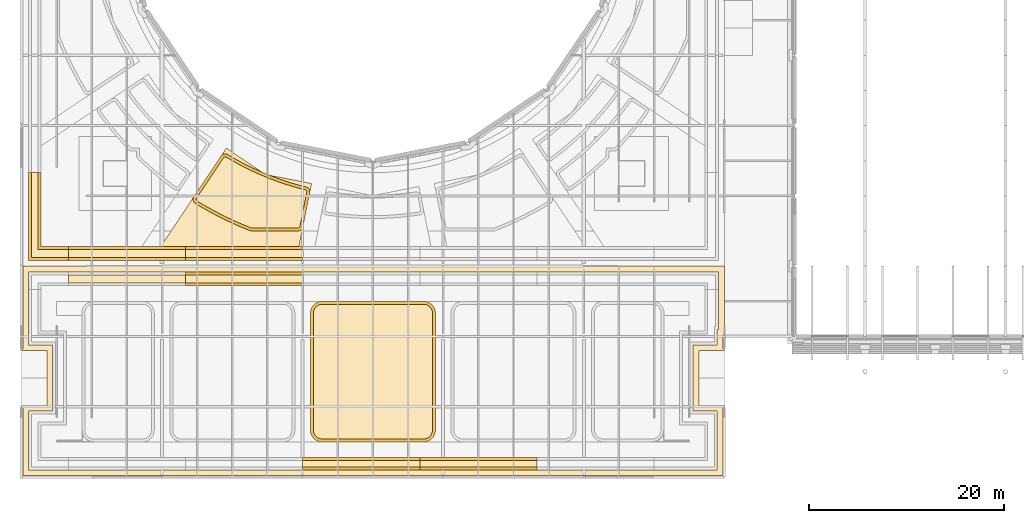
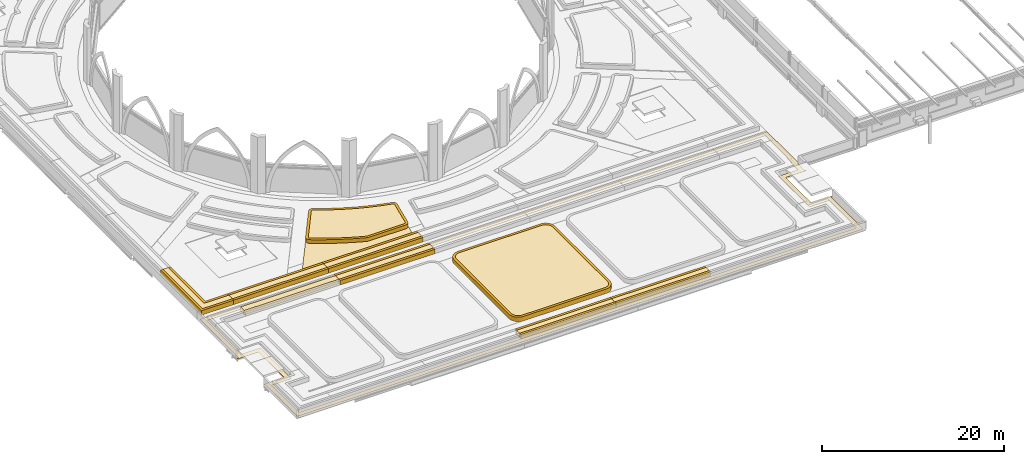
# One storey, part 82 of 110: 25 coverings.
"""IFC4 building model written with IfcOpenShell, lengths in metres."""

from ifc_helpers import new_model, si_unit, direction, frame, origin, place, context, subcontext, project, spatial, polyline, outline, extrude, material, layer, layer_set, type_object, element, save


model = new_model("IFC4")

# Units and contexts
model_context = context("Model", 3, precision=1e-05, world=origin(), true_north=direction((0.0, 1.0)))
body_context = subcontext(model_context, "Body", "Model", "MODEL_VIEW")
ifc_project = project(units=[si_unit("LENGTHUNIT", "METRE"), si_unit("AREAUNIT", "SQUARE_METRE"), si_unit("VOLUMEUNIT", "CUBIC_METRE"), si_unit("PLANEANGLEUNIT", "RADIAN"), si_unit("MASSUNIT", "GRAM", prefix="KILO")], contexts=[model_context])

# Site, building, storey
site_placement = place(None, origin())
site = spatial("IfcSite", under=ifc_project, at=site_placement, CompositionType="ELEMENT")
building_placement = place(site_placement, origin())
building = spatial("IfcBuilding", under=site, at=building_placement, Name="Kupolbacken Congress Centre", CompositionType="ELEMENT")
storey_placement = place(building_placement, frame((0.0, 0.0, 18.0)))
storey = spatial("IfcBuildingStorey", under=building, at=storey_placement, Name="L05", CompositionType="ELEMENT", Elevation=18.0)

# Coverings
ifc_material_1 = material(Name="Limestone cladding", Category="masonry")
ifc_layer_1 = layer(ifc_material_1, 0.60009765625)
ifc_layer_set_1 = layer_set([ifc_layer_1], Name="Limestone cladding")
covering_type_1 = type_object("IfcCoveringType", Name="CV5 limestone arcade pier 600", PredefinedType="CLADDING", material=ifc_layer_set_1)
covering_1_placement = place(storey_placement, origin())
element("IfcCovering", 1, at=covering_1_placement, inside=storey, type_object=covering_type_1, Name="Bed kerb, plenary wing roof", PredefinedType="CLADDING", context=body_context, shape_type="SweptSolid", body=[
    extrude(outline(polyline([(9.202392578125, 52.402587890625), (12.0, 52.402587890625), (12.0, 52.1025390625), (8.902587890625, 52.1025390625), (8.902587890625, 60.0), (9.202392578125, 60.0), (9.202392578125, 52.402587890625)])), origin(), (0.0, 0.0, 1.0), 0.60009765625),
])
covering_2_placement = place(storey_placement, origin())
element("IfcCovering", 2, at=covering_2_placement, inside=storey, type_object=covering_type_1, Name="Bed kerb, plenary wing roof", PredefinedType="CLADDING", context=body_context, shape_type="SweptSolid", body=[
    extrude(outline(polyline([(7.929931640625, 51.00244140625), (7.929931640625, 51.1298828125), (7.929931640625, 60.0), (8.22998046875, 60.0), (8.22998046875, 51.302490234375), (12.0, 51.302490234375), (12.0, 51.00244140625), (7.929931640625, 51.00244140625)])), origin(), (0.0, 0.0, 1.0), 0.60009765625),
])
covering_3_placement = place(storey_placement, origin())
element("IfcCovering", 3, at=covering_3_placement, inside=storey, type_object=covering_type_1, Name="Bed kerb, plenary wing roof", PredefinedType="CLADDING", context=body_context, shape_type="SweptSolid", body=[
    extrude(outline(polyline([(24.0, 52.402587890625), (24.0, 52.1025390625), (12.0, 52.1025390625), (12.0, 52.402587890625), (24.0, 52.402587890625)])), origin(), (0.0, 0.0, 1.0), 0.60009765625),
])
covering_4_placement = place(storey_placement, origin())
element("IfcCovering", 4, at=covering_4_placement, inside=storey, type_object=covering_type_1, Name="Bed kerb, plenary wing roof", PredefinedType="CLADDING", context=body_context, shape_type="SweptSolid", body=[
    extrude(outline(polyline([(12.0, 51.00244140625), (12.0, 51.302490234375), (24.0, 51.302490234375), (24.0, 51.00244140625), (12.0, 51.00244140625)])), origin(), (0.0, 0.0, 1.0), 0.60009765625),
])
covering_5_placement = place(storey_placement, origin())
element("IfcCovering", 5, at=covering_5_placement, inside=storey, type_object=covering_type_1, Name="Bed kerb, plenary wing roof", PredefinedType="CLADDING", context=body_context, shape_type="SweptSolid", body=[
    extrude(outline(polyline([(36.0, 52.402587890625), (36.0, 52.1025390625), (24.0, 52.1025390625), (24.0, 52.402587890625), (36.0, 52.402587890625)])), origin(), (0.0, 0.0, 1.0), 0.60009765625),
])
covering_6_placement = place(storey_placement, origin())
element("IfcCovering", 6, at=covering_6_placement, inside=storey, type_object=covering_type_1, Name="Bed kerb, plenary wing roof", PredefinedType="CLADDING", context=body_context, shape_type="SweptSolid", body=[
    extrude(outline(polyline([(24.0, 51.00244140625), (24.0, 51.302490234375), (36.0, 51.302490234375), (36.0, 51.00244140625), (24.0, 51.00244140625)])), origin(), (0.0, 0.0, 1.0), 0.60009765625),
])
covering_7_placement = place(storey_placement, origin())
element("IfcCovering", 7, at=covering_7_placement, inside=storey, type_object=covering_type_1, Name="Bed kerb, plenary wing roof", PredefinedType="CLADDING", context=body_context, shape_type="SweptSolid", body=[
    extrude(outline(polyline([(24.9814453125, 56.85009765625), (24.943115234375, 56.882568359375), (24.908447265625, 56.918701171875), (24.877197265625, 56.958251953125), (24.850341796875, 57.00048828125), (24.827880859375, 57.04541015625), (24.809814453125, 57.09228515625), (24.796630859375, 57.140869140625), (24.78857421875, 57.190185546875), (24.78515625, 57.240478515625), (24.787109375, 57.29052734375), (24.7939453125, 57.34033203125), (24.8056640625, 57.38916015625), (24.822509765625, 57.4365234375), (24.84375, 57.48193359375), (24.869384765625, 57.525146484375), (27.64892578125, 61.68505859375), (27.677490234375, 61.723388671875), (27.70947265625, 61.759033203125), (27.74462890625, 61.79150390625), (27.782958984375, 61.8203125), (27.82373046875, 61.845458984375), (27.866943359375, 61.866455078125), (27.911865234375, 61.88330078125), (27.9580078125, 61.895751953125), (28.00537109375, 61.90380859375), (28.052978515625, 61.906982421875), (28.10107421875, 61.906005859375), (28.148681640625, 61.900146484375), (28.1953125, 61.889892578125), (28.240966796875, 61.875), (28.284912109375, 61.85595703125), (28.326904296875, 61.8330078125), (28.4326171875, 61.767822265625), (28.437744140625, 61.7646484375), (29.04150390625, 61.412841796875), (29.046875, 61.409912109375), (29.658935546875, 61.072998046875), (29.664306640625, 61.070068359375), (30.284423828125, 60.748291015625), (30.2900390625, 60.745361328125), (30.91796875, 60.43896484375), (30.923583984375, 60.436279296875), (31.558837890625, 60.1455078125), (31.564453125, 60.142822265625), (32.20654296875, 59.86767578125), (32.21240234375, 59.865234375), (32.861083984375, 59.605712890625), (32.86669921875, 59.603515625), (33.521728515625, 59.360107421875), (33.527587890625, 59.35791015625), (34.188232421875, 59.130615234375), (34.194091796875, 59.12890625), (34.860107421875, 58.917724609375), (34.865966796875, 58.916015625), (35.537109375, 58.721435546875), (35.54296875, 58.7197265625), (36.21875, 58.541748046875), (36.224609375, 58.540283203125), (36.346435546875, 58.51123046875), (36.392578125, 58.498046875), (36.43701171875, 58.480224609375), (36.479736328125, 58.45849609375), (36.52001953125, 58.4326171875), (36.557861328125, 58.403076171875), (36.592529296875, 58.3701171875), (36.6240234375, 58.333984375), (36.65185546875, 58.294921875), (36.67578125, 58.25341796875), (36.695556640625, 58.209716796875), (36.711181640625, 58.164306640625), (36.722412109375, 58.117919921875), (36.72900390625, 58.0703125), (36.73095703125, 58.0224609375), (36.728515625, 57.974609375), (36.721435546875, 57.92724609375), (36.020751953125, 54.405029296875), (36.0087890625, 54.357421875), (35.992431640625, 54.311279296875), (35.971435546875, 54.266845703125), (35.9462890625, 54.224609375), (35.9169921875, 54.185302734375), (35.884033203125, 54.14892578125), (35.84765625, 54.115966796875), (35.80810546875, 54.0869140625), (35.76611328125, 54.0615234375), (35.7216796875, 54.04052734375), (35.675537109375, 54.02392578125), (35.6279296875, 54.01220703125), (35.57958984375, 54.0048828125), (35.530517578125, 54.00244140625), (30.811279296875, 54.00244140625), (30.763916015625, 54.0048828125), (30.716796875, 54.011474609375), (30.67041015625, 54.022705078125), (30.62548828125, 54.0380859375), (29.9189453125, 54.32080078125), (29.90771484375, 54.325439453125), (29.1357421875, 54.656494140625), (29.12451171875, 54.661376953125), (28.361083984375, 55.010986328125), (28.349853515625, 55.016357421875), (27.59521484375, 55.384765625), (27.583984375, 55.390380859375), (26.838623046875, 55.777099609375), (26.827880859375, 55.78271484375), (26.092041015625, 56.187744140625), (26.081298828125, 56.19384765625), (25.355712890625, 56.61669921875), (25.34521484375, 56.623046875), (25.02294921875, 56.82177734375), (24.9814453125, 56.85009765625)]), holes=[polyline([(25.5009765625, 56.87939453125), (25.50830078125, 56.875), (26.230712890625, 56.4541015625), (26.23828125, 56.44970703125), (26.970947265625, 56.04638671875), (26.978515625, 56.04248046875), (27.720703125, 55.657470703125), (27.728271484375, 55.653564453125), (28.479736328125, 55.286865234375), (28.487548828125, 55.283203125), (29.247802734375, 54.934814453125), (29.255615234375, 54.931396484375), (30.024169921875, 54.60205078125), (30.031982421875, 54.5986328125), (30.730224609375, 54.3193359375), (30.7548828125, 54.310791015625), (30.7734375, 54.306396484375), (30.792236328125, 54.3037109375), (30.818359375, 54.302490234375), (35.523193359375, 54.302490234375), (35.550048828125, 54.3037109375), (35.5693359375, 54.306640625), (35.58837890625, 54.3115234375), (35.606689453125, 54.318115234375), (35.62451171875, 54.326416015625), (35.641357421875, 54.33642578125), (35.656982421875, 54.34814453125), (35.671630859375, 54.361328125), (35.684814453125, 54.3759765625), (35.6962890625, 54.3916015625), (35.70654296875, 54.408447265625), (35.71484375, 54.426025390625), (35.721435546875, 54.444580078125), (35.72802734375, 54.470703125), (36.42578125, 57.978759765625), (36.4296875, 58.0048828125), (36.4306640625, 58.02392578125), (36.4296875, 58.04296875), (36.42724609375, 58.06201171875), (36.422607421875, 58.08056640625), (36.41650390625, 58.0986328125), (36.40869140625, 58.115966796875), (36.39892578125, 58.132568359375), (36.387939453125, 58.148193359375), (36.37548828125, 58.16259765625), (36.361572265625, 58.17578125), (36.346435546875, 58.187744140625), (36.330322265625, 58.197998046875), (36.313232421875, 58.206787109375), (36.29541015625, 58.213623046875), (36.270263671875, 58.220947265625), (36.153564453125, 58.248779296875), (36.14404296875, 58.251220703125), (35.46484375, 58.43017578125), (35.455322265625, 58.432861328125), (34.78076171875, 58.62841796875), (34.771240234375, 58.631103515625), (34.101806640625, 58.843505859375), (34.09228515625, 58.846435546875), (33.42822265625, 59.074951171875), (33.4189453125, 59.078369140625), (32.760498046875, 59.322998046875), (32.75146484375, 59.326416015625), (32.09912109375, 59.58740234375), (32.090087890625, 59.591064453125), (31.444580078125, 59.867919921875), (31.435546875, 59.871826171875), (30.796875, 60.164306640625), (30.7880859375, 60.16845703125), (30.15673828125, 60.4765625), (30.14794921875, 60.481201171875), (29.5244140625, 60.804443359375), (29.515869140625, 60.80908203125), (28.900390625, 61.14794921875), (28.891845703125, 61.152587890625), (28.28515625, 61.50634765625), (28.276611328125, 61.511474609375), (28.175537109375, 61.57373046875), (28.152587890625, 61.58642578125), (28.135009765625, 61.593994140625), (28.11669921875, 61.599853515625), (28.09814453125, 61.60400390625), (28.0791015625, 61.606201171875), (28.06005859375, 61.606689453125), (28.041015625, 61.60546875), (28.02197265625, 61.602294921875), (28.003662109375, 61.597412109375), (27.985595703125, 61.590576171875), (27.968505859375, 61.582275390625), (27.9521484375, 61.572265625), (27.93701171875, 61.560546875), (27.9228515625, 61.547607421875), (27.909912109375, 61.533447265625), (27.894287109375, 61.51220703125), (25.123046875, 57.36474609375), (25.10888671875, 57.341064453125), (25.100341796875, 57.322998046875), (25.09375, 57.303955078125), (25.089111328125, 57.284423828125), (25.086181640625, 57.2646484375), (25.085693359375, 57.24462890625), (25.0869140625, 57.224609375), (25.090087890625, 57.204833984375), (25.095458984375, 57.185546875), (25.1025390625, 57.166748046875), (25.111572265625, 57.148681640625), (25.122314453125, 57.1318359375), (25.134765625, 57.1162109375), (25.148681640625, 57.101806640625), (25.1640625, 57.0888671875), (25.186767578125, 57.072998046875), (25.5009765625, 56.87939453125)])]), origin(), (0.0, 0.0, 1.0), 0.60009765625),
])
covering_8_placement = place(storey_placement, origin())
element("IfcCovering", 8, at=covering_8_placement, inside=storey, type_object=covering_type_1, Name="Bed kerb, roof garden", PredefinedType="CLADDING", context=body_context, shape_type="SweptSolid", body=[
    extrude(outline(polyline([(36.0, 49.797607421875), (36.0, 49.49755859375), (24.0, 49.49755859375), (24.0, 49.797607421875), (36.0, 49.797607421875)])), origin(), (0.0, 0.0, 1.0), 0.60009765625),
])
covering_9_placement = place(storey_placement, origin())
element("IfcCovering", 9, at=covering_9_placement, inside=storey, type_object=covering_type_1, Name="Bed kerb, roof garden", PredefinedType="CLADDING", context=body_context, shape_type="SweptSolid", body=[
    extrude(outline(polyline([(36.0, 29.530029296875), (36.0, 29.830078125), (48.0, 29.830078125), (48.0, 29.530029296875), (36.0, 29.530029296875)])), origin(), (0.0, 0.0, 1.0), 0.60009765625),
])
covering_10_placement = place(storey_placement, origin())
element("IfcCovering", 10, at=covering_10_placement, inside=storey, type_object=covering_type_1, Name="Bed kerb, roof garden", PredefinedType="CLADDING", context=body_context, shape_type="SweptSolid", body=[
    extrude(outline(polyline([(48.0, 29.530029296875), (48.0, 29.830078125), (60.0, 29.830078125), (60.0, 29.530029296875), (48.0, 29.530029296875)])), origin(), (0.0, 0.0, 1.0), 0.60009765625),
])
covering_11_placement = place(storey_placement, origin())
element("IfcCovering", 11, at=covering_11_placement, inside=storey, type_object=covering_type_1, Name="Bed kerb, roof garden", PredefinedType="CLADDING", context=body_context, shape_type="SweptSolid", body=[
    extrude(outline(polyline([(36.0, 48.697509765625), (36.0, 48.3974609375), (24.0, 48.3974609375), (24.0, 48.697509765625), (36.0, 48.697509765625)])), origin(), (0.0, 0.0, 1.0), 0.60009765625),
])
covering_12_placement = place(storey_placement, origin())
element("IfcCovering", 12, at=covering_12_placement, inside=storey, type_object=covering_type_1, Name="Bed kerb, roof garden", PredefinedType="CLADDING", context=body_context, shape_type="SweptSolid", body=[
    extrude(outline(polyline([(36.0, 30.50244140625), (36.0, 30.802490234375), (48.0, 30.802490234375), (48.0, 30.50244140625), (36.0, 30.50244140625)])), origin(), (0.0, 0.0, 1.0), 0.60009765625),
])
covering_13_placement = place(storey_placement, origin())
element("IfcCovering", 13, at=covering_13_placement, inside=storey, type_object=covering_type_1, Name="Bed kerb, roof garden", PredefinedType="CLADDING", context=body_context, shape_type="SweptSolid", body=[
    extrude(outline(polyline([(48.0, 30.50244140625), (48.0, 30.802490234375), (60.0, 30.802490234375), (60.0, 30.50244140625), (48.0, 30.50244140625)])), origin(), (0.0, 0.0, 1.0), 0.60009765625),
])
covering_14_placement = place(storey_placement, origin())
element("IfcCovering", 14, at=covering_14_placement, inside=storey, type_object=covering_type_1, Name="Bed kerb, roof garden", PredefinedType="CLADDING", context=body_context, shape_type="SweptSolid", body=[
    extrude(outline(polyline([(48.51708984375, 46.791748046875), (48.633544921875, 46.7744140625), (48.747802734375, 46.745849609375), (48.858642578125, 46.706298828125), (48.965087890625, 46.65576171875), (49.066162109375, 46.59521484375), (49.160888671875, 46.525146484375), (49.248046875, 46.446044921875), (49.3271484375, 46.35888671875), (49.397216796875, 46.26416015625), (49.457763671875, 46.1630859375), (49.50830078125, 46.056640625), (49.5478515625, 45.94580078125), (49.576416015625, 45.83154296875), (49.59375, 45.715087890625), (49.599609375, 45.597412109375), (49.599609375, 33.6025390625), (49.59375, 33.48486328125), (49.576416015625, 33.368408203125), (49.5478515625, 33.254150390625), (49.50830078125, 33.143310546875), (49.457763671875, 33.036865234375), (49.397216796875, 32.935791015625), (49.3271484375, 32.84130859375), (49.248046875, 32.75390625), (49.160888671875, 32.6748046875), (49.066162109375, 32.604736328125), (48.965087890625, 32.544189453125), (48.858642578125, 32.493896484375), (48.747802734375, 32.4541015625), (48.633544921875, 32.425537109375), (48.51708984375, 32.408203125), (48.3994140625, 32.402587890625), (38.00048828125, 32.402587890625), (37.8828125, 32.408203125), (37.766357421875, 32.425537109375), (37.652099609375, 32.4541015625), (37.541259765625, 32.493896484375), (37.434814453125, 32.544189453125), (37.333740234375, 32.604736328125), (37.2392578125, 32.6748046875), (37.152099609375, 32.75390625), (37.072998046875, 32.84130859375), (37.002685546875, 32.935791015625), (36.942138671875, 33.036865234375), (36.891845703125, 33.143310546875), (36.852294921875, 33.254150390625), (36.823486328125, 33.368408203125), (36.806396484375, 33.48486328125), (36.800537109375, 33.6025390625), (36.800537109375, 45.597412109375), (36.806396484375, 45.715087890625), (36.823486328125, 45.83154296875), (36.852294921875, 45.94580078125), (36.891845703125, 46.056640625), (36.942138671875, 46.1630859375), (37.002685546875, 46.26416015625), (37.072998046875, 46.35888671875), (37.152099609375, 46.446044921875), (37.2392578125, 46.525146484375), (37.333740234375, 46.59521484375), (37.434814453125, 46.65576171875), (37.541259765625, 46.706298828125), (37.652099609375, 46.745849609375), (37.766357421875, 46.7744140625), (37.8828125, 46.791748046875), (38.00048828125, 46.797607421875), (48.3994140625, 46.797607421875), (48.51708984375, 46.791748046875)]), holes=[polyline([(38.0078125, 46.49755859375), (37.912353515625, 46.492919921875), (37.824951171875, 46.47998046875), (37.7392578125, 46.45849609375), (37.65625, 46.4287109375), (37.576416015625, 46.390869140625), (37.500732421875, 46.345458984375), (37.4296875, 46.29296875), (37.364501953125, 46.233642578125), (37.30517578125, 46.168212890625), (37.25244140625, 46.097412109375), (37.20703125, 46.021484375), (37.169189453125, 45.94189453125), (37.1396484375, 45.858642578125), (37.1181640625, 45.77294921875), (37.105224609375, 45.685791015625), (37.1005859375, 45.590087890625), (37.1005859375, 33.60986328125), (37.105224609375, 33.514404296875), (37.1181640625, 33.427001953125), (37.1396484375, 33.34130859375), (37.169189453125, 33.25830078125), (37.20703125, 33.178466796875), (37.25244140625, 33.102783203125), (37.30517578125, 33.03173828125), (37.364501953125, 32.96630859375), (37.4296875, 32.906982421875), (37.500732421875, 32.8544921875), (37.576416015625, 32.80908203125), (37.65625, 32.771240234375), (37.7392578125, 32.74169921875), (37.824951171875, 32.72021484375), (37.912353515625, 32.707275390625), (38.0078125, 32.702392578125), (48.39208984375, 32.702392578125), (48.48779296875, 32.707275390625), (48.574951171875, 32.72021484375), (48.66064453125, 32.74169921875), (48.743896484375, 32.771240234375), (48.823486328125, 32.80908203125), (48.8994140625, 32.8544921875), (48.97021484375, 32.906982421875), (49.03564453125, 32.96630859375), (49.094970703125, 33.03173828125), (49.1474609375, 33.102783203125), (49.19287109375, 33.178466796875), (49.230712890625, 33.25830078125), (49.260498046875, 33.34130859375), (49.281982421875, 33.427001953125), (49.294921875, 33.514404296875), (49.299560546875, 33.60986328125), (49.299560546875, 45.590087890625), (49.294921875, 45.685791015625), (49.281982421875, 45.77294921875), (49.260498046875, 45.858642578125), (49.230712890625, 45.94189453125), (49.19287109375, 46.021484375), (49.1474609375, 46.097412109375), (49.094970703125, 46.168212890625), (49.03564453125, 46.233642578125), (48.97021484375, 46.29296875), (48.8994140625, 46.345458984375), (48.823486328125, 46.390869140625), (48.743896484375, 46.4287109375), (48.66064453125, 46.45849609375), (48.574951171875, 46.47998046875), (48.48779296875, 46.492919921875), (48.39208984375, 46.49755859375), (38.0078125, 46.49755859375)])]), origin(), (0.0, 0.0, 1.0), 0.60009765625),
])
ifc_material_2 = material(Name="Limestone cladding", Category="masonry")
ifc_layer_2 = layer(ifc_material_2, 0.02001953125)
ifc_layer_set_2 = layer_set([ifc_layer_2], Name="Limestone cladding")
covering_type_2 = type_object("IfcCoveringType", Name="GF1 limestone paving 20", PredefinedType="FLOORING", material=ifc_layer_set_2)
covering_15_placement = place(storey_placement, origin())
element("IfcCovering", 15, at=covering_15_placement, inside=storey, type_object=covering_type_2, Name="Roof walk, roof garden", PredefinedType="FLOORING", context=body_context, shape_type="SweptSolid", body=[
    extrude(outline(polyline([(9.802490234375, 41.75244140625), (7.202392578125, 41.75244140625), (7.202392578125, 41.93994140625), (7.360107421875, 41.93994140625), (7.360107421875, 50.239990234375), (7.360107421875, 50.3974609375), (79.197509765625, 50.3974609375), (79.197509765625, 43.360107421875), (79.0400390625, 43.360107421875), (79.0400390625, 43.0400390625), (79.0400390625, 43.0400390625), (79.0400390625, 41.93994140625), (79.197509765625, 41.93994140625), (79.197509765625, 41.75244140625), (76.597412109375, 41.75244140625), (76.597412109375, 36.1474609375), (79.197509765625, 36.1474609375), (79.197509765625, 35.9599609375), (79.0400390625, 35.9599609375), (79.0400390625, 28.9599609375), (7.360107421875, 28.9599609375), (7.360107421875, 35.9599609375), (7.202392578125, 35.9599609375), (7.202392578125, 36.1474609375), (9.802490234375, 36.1474609375), (9.802490234375, 41.75244140625)]), holes=[polyline([(10.402587890625, 42.3525390625), (10.402587890625, 35.547607421875), (7.929931640625, 35.547607421875), (7.929931640625, 29.530029296875), (78.469970703125, 29.530029296875), (78.469970703125, 35.547607421875), (75.99755859375, 35.547607421875), (75.99755859375, 42.3525390625), (78.469970703125, 42.3525390625), (78.469970703125, 42.469970703125), (78.469970703125, 42.469970703125), (78.469970703125, 43.929931640625), (78.597412109375, 43.929931640625), (78.597412109375, 49.797607421875), (7.929931640625, 49.797607421875), (7.929931640625, 49.669921875), (7.929931640625, 42.3525390625), (10.402587890625, 42.3525390625)])]), origin(), (0.0, 0.0, 1.0), 0.02001953125),
])
ifc_material_3 = material(Name="Grass", Category="soil")
ifc_layer_3 = layer(ifc_material_3, 0.10009765625)
ifc_layer_set_3 = layer_set([ifc_layer_3], Name="Grass")
covering_type_3 = type_object("IfcCoveringType", Name="GR2 grass surface 100", PredefinedType="FLOORING", material=ifc_layer_set_3)
covering_16_placement = place(storey_placement, origin())
element("IfcCovering", 16, at=covering_16_placement, inside=storey, type_object=covering_type_3, Name="Green roof, plenary wing roof", PredefinedType="FLOORING", context=body_context, shape_type="SweptSolid", body=[
    extrude(outline(polyline([(35.622314453125, 52.400390625), (21.445556640625, 52.400390625), (28.189697265625, 62.494384765625), (32.178955078125, 59.80224609375), (36.9091796875, 58.870849609375), (35.622314453125, 52.400390625)])), origin(), (0.0, 0.0, 1.0), 0.10009765625),
])
ifc_material_4 = material(Name="Planting substrate", Category="soil")
ifc_layer_4 = layer(ifc_material_4, 0.60009765625)
ifc_layer_set_4 = layer_set([ifc_layer_4], Name="Planting substrate")
covering_type_4 = type_object("IfcCoveringType", Name="GR8 planting substrate 600", PredefinedType="FLOORING", material=ifc_layer_set_4)
covering_17_placement = place(storey_placement, origin())
element("IfcCovering", 17, at=covering_17_placement, inside=storey, type_object=covering_type_4, Name="Planting bed, plenary wing roof", PredefinedType="FLOORING", context=body_context, shape_type="SweptSolid", body=[
    extrude(outline(polyline([(8.22998046875, 60.0), (8.902587890625, 60.0), (8.902587890625, 52.1025390625), (12.0, 52.1025390625), (12.0, 51.302490234375), (8.22998046875, 51.302490234375), (8.22998046875, 60.0)])), origin(), (0.0, 0.0, 1.0), 0.60009765625),
])
covering_18_placement = place(storey_placement, origin())
element("IfcCovering", 18, at=covering_18_placement, inside=storey, type_object=covering_type_4, Name="Planting bed, plenary wing roof", PredefinedType="FLOORING", context=body_context, shape_type="SweptSolid", body=[
    extrude(outline(polyline([(24.0, 52.1025390625), (24.0, 51.302490234375), (12.0, 51.302490234375), (12.0, 52.1025390625), (24.0, 52.1025390625)])), origin(), (0.0, 0.0, 1.0), 0.60009765625),
])
covering_19_placement = place(storey_placement, origin())
element("IfcCovering", 19, at=covering_19_placement, inside=storey, type_object=covering_type_4, Name="Planting bed, plenary wing roof", PredefinedType="FLOORING", context=body_context, shape_type="SweptSolid", body=[
    extrude(outline(polyline([(36.0, 52.1025390625), (36.0, 51.302490234375), (24.0, 51.302490234375), (24.0, 52.1025390625), (36.0, 52.1025390625)])), origin(), (0.0, 0.0, 1.0), 0.60009765625),
])
covering_20_placement = place(storey_placement, origin())
element("IfcCovering", 20, at=covering_20_placement, inside=storey, type_object=covering_type_4, Name="Planting bed, plenary wing roof", PredefinedType="FLOORING", context=body_context, shape_type="SweptSolid", body=[
    extrude(outline(polyline([(25.186767578125, 57.072998046875), (25.1640625, 57.0888671875), (25.148681640625, 57.101806640625), (25.134765625, 57.1162109375), (25.122314453125, 57.1318359375), (25.111572265625, 57.148681640625), (25.1025390625, 57.166748046875), (25.095458984375, 57.185546875), (25.090087890625, 57.204833984375), (25.0869140625, 57.224609375), (25.085693359375, 57.24462890625), (25.086181640625, 57.2646484375), (25.089111328125, 57.284423828125), (25.09375, 57.303955078125), (25.100341796875, 57.322998046875), (25.10888671875, 57.341064453125), (25.123046875, 57.36474609375), (27.894287109375, 61.51220703125), (27.909912109375, 61.533447265625), (27.9228515625, 61.547607421875), (27.93701171875, 61.560546875), (27.9521484375, 61.572265625), (27.968505859375, 61.582275390625), (27.985595703125, 61.590576171875), (28.003662109375, 61.597412109375), (28.02197265625, 61.602294921875), (28.041015625, 61.60546875), (28.06005859375, 61.606689453125), (28.0791015625, 61.606201171875), (28.09814453125, 61.60400390625), (28.11669921875, 61.599853515625), (28.135009765625, 61.593994140625), (28.152587890625, 61.58642578125), (28.175537109375, 61.57373046875), (28.276611328125, 61.511474609375), (28.28515625, 61.50634765625), (28.891845703125, 61.152587890625), (28.900390625, 61.14794921875), (29.515869140625, 60.80908203125), (29.5244140625, 60.804443359375), (30.14794921875, 60.481201171875), (30.15673828125, 60.4765625), (30.7880859375, 60.16845703125), (30.796875, 60.164306640625), (31.435546875, 59.871826171875), (31.444580078125, 59.867919921875), (32.090087890625, 59.591064453125), (32.09912109375, 59.58740234375), (32.75146484375, 59.326416015625), (32.760498046875, 59.322998046875), (33.4189453125, 59.078369140625), (33.42822265625, 59.074951171875), (34.09228515625, 58.846435546875), (34.101806640625, 58.843505859375), (34.771240234375, 58.631103515625), (34.78076171875, 58.62841796875), (35.455322265625, 58.432861328125), (35.46484375, 58.43017578125), (36.14404296875, 58.251220703125), (36.153564453125, 58.248779296875), (36.270263671875, 58.220947265625), (36.29541015625, 58.213623046875), (36.313232421875, 58.206787109375), (36.330322265625, 58.197998046875), (36.346435546875, 58.187744140625), (36.361572265625, 58.17578125), (36.37548828125, 58.16259765625), (36.387939453125, 58.148193359375), (36.39892578125, 58.132568359375), (36.40869140625, 58.115966796875), (36.41650390625, 58.0986328125), (36.422607421875, 58.08056640625), (36.42724609375, 58.06201171875), (36.4296875, 58.04296875), (36.4306640625, 58.02392578125), (36.4296875, 58.0048828125), (36.42578125, 57.978759765625), (35.72802734375, 54.470703125), (35.721435546875, 54.444580078125), (35.71484375, 54.426025390625), (35.70654296875, 54.408447265625), (35.6962890625, 54.3916015625), (35.684814453125, 54.3759765625), (35.671630859375, 54.361328125), (35.656982421875, 54.34814453125), (35.641357421875, 54.33642578125), (35.62451171875, 54.326416015625), (35.606689453125, 54.318115234375), (35.58837890625, 54.3115234375), (35.5693359375, 54.306640625), (35.550048828125, 54.3037109375), (35.523193359375, 54.302490234375), (30.818359375, 54.302490234375), (30.792236328125, 54.3037109375), (30.7734375, 54.306396484375), (30.7548828125, 54.310791015625), (30.730224609375, 54.3193359375), (30.031982421875, 54.5986328125), (30.024169921875, 54.60205078125), (29.255615234375, 54.931396484375), (29.247802734375, 54.934814453125), (28.487548828125, 55.283203125), (28.479736328125, 55.286865234375), (27.728271484375, 55.653564453125), (27.720703125, 55.657470703125), (26.978515625, 56.04248046875), (26.970947265625, 56.04638671875), (26.23828125, 56.44970703125), (26.230712890625, 56.4541015625), (25.50830078125, 56.875), (25.5009765625, 56.87939453125), (25.186767578125, 57.072998046875)])), origin(), (0.0, 0.0, 1.0), 0.60009765625),
])
covering_21_placement = place(storey_placement, origin())
element("IfcCovering", 21, at=covering_21_placement, inside=storey, type_object=covering_type_4, Name="Planting bed, roof garden", PredefinedType="FLOORING", context=body_context, shape_type="SweptSolid", body=[
    extrude(outline(polyline([(24.0, 49.49755859375), (24.0, 48.697509765625), (12.0, 48.697509765625), (12.0, 49.49755859375), (24.0, 49.49755859375)])), origin(), (0.0, 0.0, 1.0), 0.60009765625),
])
covering_22_placement = place(storey_placement, origin())
element("IfcCovering", 22, at=covering_22_placement, inside=storey, type_object=covering_type_4, Name="Planting bed, roof garden", PredefinedType="FLOORING", context=body_context, shape_type="SweptSolid", body=[
    extrude(outline(polyline([(36.0, 49.49755859375), (36.0, 48.697509765625), (24.0, 48.697509765625), (24.0, 49.49755859375), (36.0, 49.49755859375)])), origin(), (0.0, 0.0, 1.0), 0.60009765625),
])
covering_23_placement = place(storey_placement, origin())
element("IfcCovering", 23, at=covering_23_placement, inside=storey, type_object=covering_type_4, Name="Planting bed, roof garden", PredefinedType="FLOORING", context=body_context, shape_type="SweptSolid", body=[
    extrude(outline(polyline([(36.0, 29.830078125), (36.0, 30.50244140625), (48.0, 30.50244140625), (48.0, 29.830078125), (36.0, 29.830078125)])), origin(), (0.0, 0.0, 1.0), 0.60009765625),
])
covering_24_placement = place(storey_placement, origin())
element("IfcCovering", 24, at=covering_24_placement, inside=storey, type_object=covering_type_4, Name="Planting bed, roof garden", PredefinedType="FLOORING", context=body_context, shape_type="SweptSolid", body=[
    extrude(outline(polyline([(48.0, 29.830078125), (48.0, 30.50244140625), (60.0, 30.50244140625), (60.0, 29.830078125), (48.0, 29.830078125)])), origin(), (0.0, 0.0, 1.0), 0.60009765625),
])
covering_25_placement = place(storey_placement, origin())
element("IfcCovering", 25, at=covering_25_placement, inside=storey, type_object=covering_type_4, Name="Planting bed, roof garden", PredefinedType="FLOORING", context=body_context, shape_type="SweptSolid", body=[
    extrude(outline(polyline([(48.39208984375, 46.49755859375), (48.48779296875, 46.492919921875), (48.574951171875, 46.47998046875), (48.66064453125, 46.45849609375), (48.743896484375, 46.4287109375), (48.823486328125, 46.390869140625), (48.8994140625, 46.345458984375), (48.97021484375, 46.29296875), (49.03564453125, 46.233642578125), (49.094970703125, 46.168212890625), (49.1474609375, 46.097412109375), (49.19287109375, 46.021484375), (49.230712890625, 45.94189453125), (49.260498046875, 45.858642578125), (49.281982421875, 45.77294921875), (49.294921875, 45.685791015625), (49.299560546875, 45.590087890625), (49.299560546875, 33.60986328125), (49.294921875, 33.514404296875), (49.281982421875, 33.427001953125), (49.260498046875, 33.34130859375), (49.230712890625, 33.25830078125), (49.19287109375, 33.178466796875), (49.1474609375, 33.102783203125), (49.094970703125, 33.03173828125), (49.03564453125, 32.96630859375), (48.97021484375, 32.906982421875), (48.8994140625, 32.8544921875), (48.823486328125, 32.80908203125), (48.743896484375, 32.771240234375), (48.66064453125, 32.74169921875), (48.574951171875, 32.72021484375), (48.48779296875, 32.707275390625), (48.39208984375, 32.702392578125), (38.0078125, 32.702392578125), (37.912353515625, 32.707275390625), (37.824951171875, 32.72021484375), (37.7392578125, 32.74169921875), (37.65625, 32.771240234375), (37.576416015625, 32.80908203125), (37.500732421875, 32.8544921875), (37.4296875, 32.906982421875), (37.364501953125, 32.96630859375), (37.30517578125, 33.03173828125), (37.25244140625, 33.102783203125), (37.20703125, 33.178466796875), (37.169189453125, 33.25830078125), (37.1396484375, 33.34130859375), (37.1181640625, 33.427001953125), (37.105224609375, 33.514404296875), (37.1005859375, 33.60986328125), (37.1005859375, 45.590087890625), (37.105224609375, 45.685791015625), (37.1181640625, 45.77294921875), (37.1396484375, 45.858642578125), (37.169189453125, 45.94189453125), (37.20703125, 46.021484375), (37.25244140625, 46.097412109375), (37.30517578125, 46.168212890625), (37.364501953125, 46.233642578125), (37.4296875, 46.29296875), (37.500732421875, 46.345458984375), (37.576416015625, 46.390869140625), (37.65625, 46.4287109375), (37.7392578125, 46.45849609375), (37.824951171875, 46.47998046875), (37.912353515625, 46.492919921875), (38.0078125, 46.49755859375), (48.39208984375, 46.49755859375)])), origin(), (0.0, 0.0, 1.0), 0.60009765625),
])

save(model, "model.ifc")
